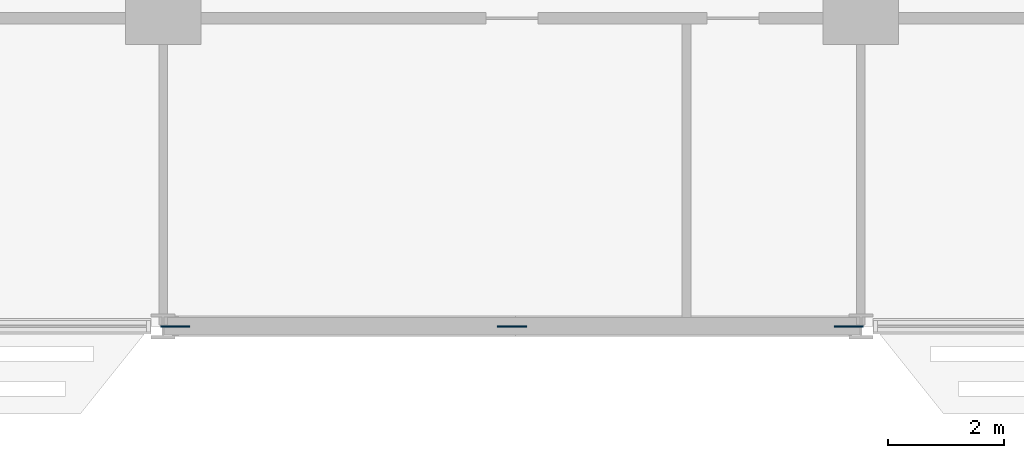
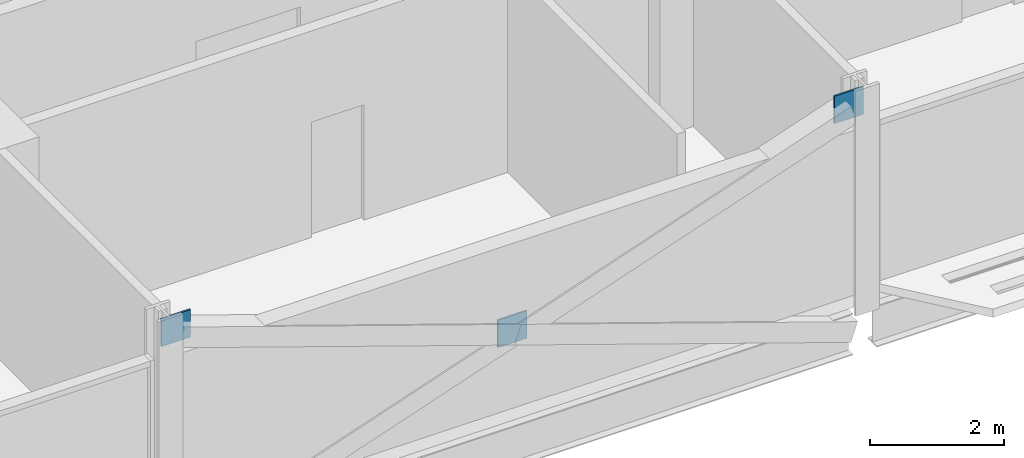
# One storey, part 21 of 29: 3 discrete accessories.
"""IFC4 building model written with IfcOpenShell, lengths in metres."""

from ifc_helpers import new_model, si_unit, direction, frame, origin, origin_2d, place, context, subcontext, project, spatial, rectangle, extrude, material, layer, layer_set, type_object, element, save


model = new_model("IFC4")

# Units and contexts
model_context = context("Model", 3, precision=1e-05, world=origin(), true_north=direction((0.0, 1.0)))
body_context = subcontext(model_context, "Body", "Model", "MODEL_VIEW")
ifc_project = project(units=[si_unit("LENGTHUNIT", "METRE"), si_unit("AREAUNIT", "SQUARE_METRE"), si_unit("VOLUMEUNIT", "CUBIC_METRE"), si_unit("PLANEANGLEUNIT", "RADIAN"), si_unit("MASSUNIT", "GRAM", prefix="KILO")], contexts=[model_context])

# Site, building, storey
site_placement = place(None, origin())
site = spatial("IfcSite", under=ifc_project, at=site_placement, CompositionType="ELEMENT")
building_placement = place(site_placement, origin())
building = spatial("IfcBuilding", under=site, at=building_placement, Name="Mahtab Terrace Research Tower", CompositionType="ELEMENT")
storey_placement = place(building_placement, frame((0.0, 0.0, 142.5)))
storey = spatial("IfcBuildingStorey", under=building, at=storey_placement, Name="L33", CompositionType="ELEMENT", Elevation=142.5)

# Discrete accessories
ifc_material = material(Name="Steel ASTM A992 Gr 50", Category="steel")
ifc_layer = layer(ifc_material, 0.030029296875)
ifc_layer_set = layer_set([ifc_layer], Name="Gusset plate 500x500x30")
discrete_accessory_type = type_object("IfcDiscreteAccessoryType", Name="Gusset plate 500x500x30", PredefinedType="USERDEFINED", material=ifc_layer_set)
for number, where, z_axis, x_axis, name in (
    (1, (-5.794189453125, -17.0, 3.131591796875), (0.0, 0.0, 1.0), (1.0, 0.0, 0.0), "Gusset plate"),
    (2, (0.0, -17.0, 1.08154296875), (0.0, 0.0, 1.0), (1.0, 0.0, 0.0), "Gusset plate"),
    (3, (5.794189453125, -17.0, 3.131591796875), (0.0, 0.0, 1.0), (1.0, 0.0, 0.0), "Gusset plate"),
):
    element("IfcDiscreteAccessory", number, at=place(storey_placement, frame(where, z_axis=z_axis, x_axis=x_axis)), inside=storey, type_object=discrete_accessory_type, Name=name, ObjectType="GUSSET PLATE", PredefinedType="USERDEFINED", context=body_context, shape_type="SweptSolid", body=[
        extrude(rectangle(XDim=0.5, YDim=0.030029296875, at=origin_2d()), origin(), (0.0, 0.0, 1.0), 0.5),
    ])

save(model, "model.ifc")
